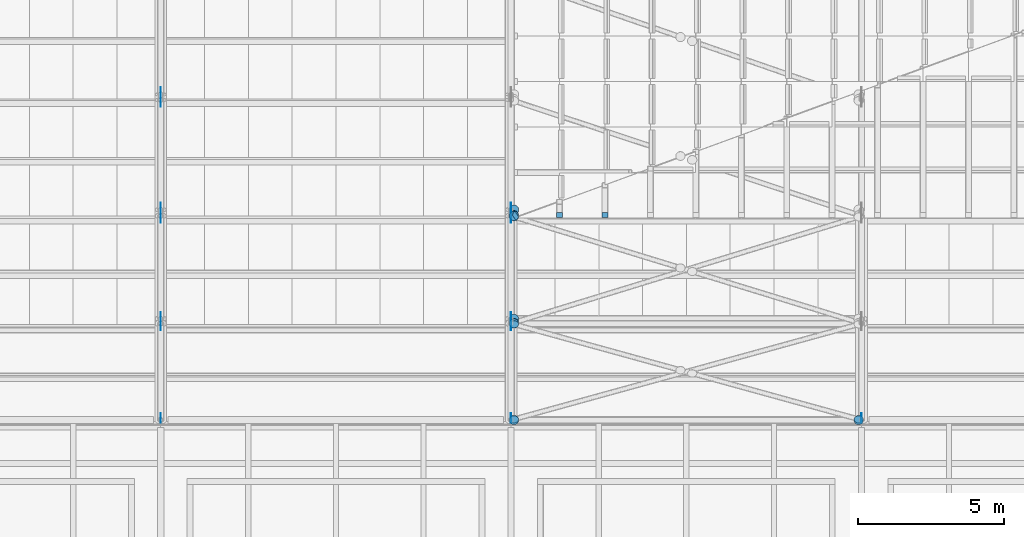
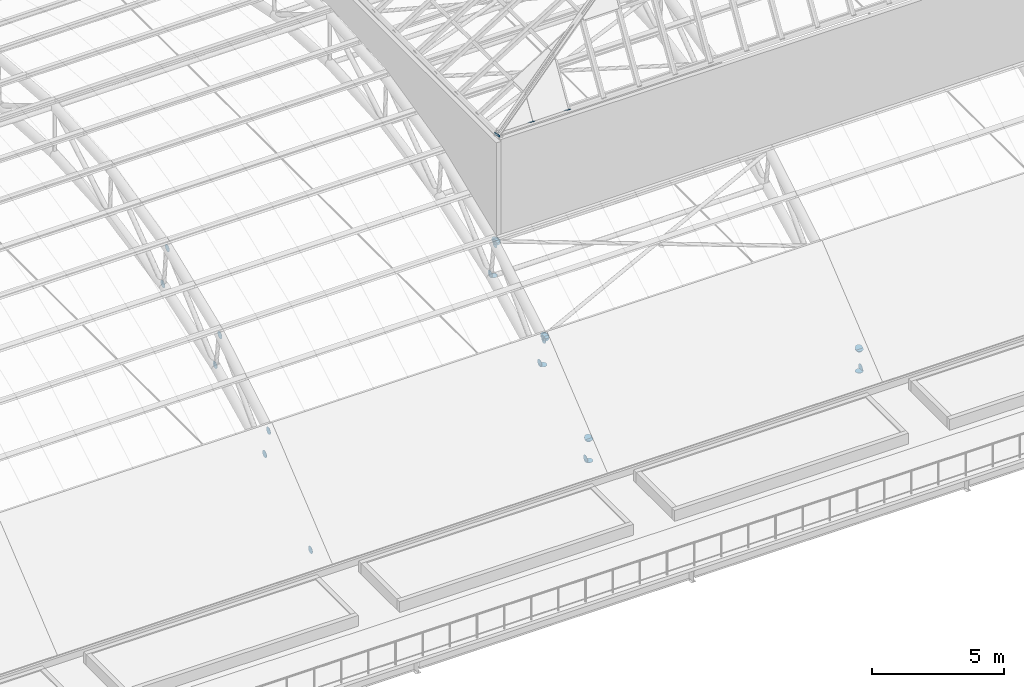
# One storey, part 86 of 110: 30 discrete accessories.
"""IFC4 building model written with IfcOpenShell, lengths in metres."""

from ifc_helpers import new_model, si_unit, direction, frame, origin, origin_2d, place, context, subcontext, project, spatial, rectangle, circle, extrude, material, layer, layer_set, type_object, element, save


model = new_model("IFC4")

# Units and contexts
model_context = context("Model", 3, precision=1e-05, world=origin(), true_north=direction((0.0, 1.0)))
body_context = subcontext(model_context, "Body", "Model", "MODEL_VIEW")
ifc_project = project(units=[si_unit("LENGTHUNIT", "METRE"), si_unit("AREAUNIT", "SQUARE_METRE"), si_unit("VOLUMEUNIT", "CUBIC_METRE"), si_unit("PLANEANGLEUNIT", "RADIAN"), si_unit("MASSUNIT", "GRAM", prefix="KILO")], contexts=[model_context])

# Site, building, storey
site_placement = place(None, origin())
site = spatial("IfcSite", under=ifc_project, at=site_placement, CompositionType="ELEMENT")
building_placement = place(site_placement, origin())
building = spatial("IfcBuilding", under=site, at=building_placement, Name="Windward Yard Aquatics Centre", CompositionType="ELEMENT")
storey_placement = place(building_placement, frame((0.0, 0.0, 22.60009765625)))
storey = spatial("IfcBuildingStorey", under=building, at=storey_placement, Name="L05", CompositionType="ELEMENT", Elevation=22.60009765625)

# Discrete accessories
ifc_material = material(Name="Steel S355", Category="steel")
ifc_layer_1 = layer(ifc_material, 0.010009765625)
ifc_layer_set_1 = layer_set([ifc_layer_1], Name="End cap plate 10 mm RHS203.2x203.2x9.5")
discrete_accessory_type_1 = type_object("IfcDiscreteAccessoryType", Name="End cap plate 10 mm RHS203.2x203.2x9.5", PredefinedType="USERDEFINED", material=ifc_layer_set_1)
for number, where, z_axis, x_axis, name in (
    (1, (99.212890625, 48.623779296875, 10.8154296875), (0.0, 0.514495755428, 0.857492925713), (-1.0, 0.0, 0.0), "End cap"),
    (2, (97.656494140625, 48.623779296875, 10.8154296875), (0.0, 0.514495755428, 0.857492925713), (-1.0, 0.0, 0.0), "End cap"),
):
    element("IfcDiscreteAccessory", number, at=place(storey_placement, frame(where, z_axis=z_axis, x_axis=x_axis)), inside=storey, type_object=discrete_accessory_type_1, Name=name, ObjectType="END CAP", PredefinedType="USERDEFINED", context=body_context, shape_type="SweptSolid", body=[
        extrude(rectangle(XDim=0.203125, YDim=0.203125, at=origin_2d()), origin(), (0.0, 0.0, 1.0), 0.010009765625),
    ])
ifc_layer_2 = layer(ifc_material, 0.010009765625)
ifc_layer_set_2 = layer_set([ifc_layer_2], Name="End cap plate 10 mm RHS254x254x15.9")
discrete_accessory_type_2 = type_object("IfcDiscreteAccessoryType", Name="End cap plate 10 mm RHS254x254x15.9", PredefinedType="USERDEFINED", material=ifc_layer_set_2)
discrete_accessory_1_placement = place(storey_placement, frame((96.140869140625, 48.58740234375, 10.7626953125), z_axis=(0.800603068749, 0.315389087689, 0.509474680113), x_axis=(-0.515938339909, 0.795222094871, 0.318479903984)))
element("IfcDiscreteAccessory", 3, at=discrete_accessory_1_placement, inside=storey, type_object=discrete_accessory_type_2, Name="End cap", ObjectType="END CAP", PredefinedType="USERDEFINED", context=body_context, shape_type="SweptSolid", body=[
    extrude(rectangle(XDim=0.25390625, YDim=0.25390625, at=origin_2d()), origin(), (0.0, 0.0, 1.0), 0.010009765625),
])
ifc_layer_3 = layer(ifc_material, 0.011962890625)
ifc_layer_set_3 = layer_set([ifc_layer_3], Name="Gusset plate 320 mm disc 12 mm")
discrete_accessory_type_3 = type_object("IfcDiscreteAccessoryType", Name="Gusset plate 320 mm disc 12 mm", PredefinedType="USERDEFINED", material=ifc_layer_set_3)
for number, where, z_axis, x_axis, name in (
    (4, (83.993896484375, 41.66650390625, 0.07470703125), (1.0, 0.0, 0.0), (0.0, 1.0, 0.0), "Gusset plate"),
    (5, (83.993896484375, 44.841064453125, 3.64306640625), (1.0, 0.0, 0.0), (0.0, 1.0, 0.0), "Gusset plate"),
    (6, (83.993896484375, 45.134765625, 2.390869140625), (1.0, 0.0, 0.0), (0.0, 1.0, 0.0), "Gusset plate"),
    (7, (83.993896484375, 48.520263671875, 5.8291015625), (1.0, 0.0, 0.0), (0.0, 1.0, 0.0), "Gusset plate"),
    (8, (83.993896484375, 48.877685546875, 4.23291015625), (1.0, 0.0, 0.0), (0.0, 1.0, 0.0), "Gusset plate"),
    (9, (83.993896484375, 52.48779296875, 7.4306640625), (1.0, 0.0, 0.0), (0.0, 1.0, 0.0), "Gusset plate"),
    (10, (83.993896484375, 52.83056640625, 5.568603515625), (1.0, 0.0, 0.0), (0.0, 1.0, 0.0), "Gusset plate"),
    (11, (95.993896484375, 41.66650390625, 0.07470703125), (1.0, 0.0, 0.0), (0.0, 1.0, 0.0), "Gusset plate"),
    (12, (95.993896484375, 44.841064453125, 3.64306640625), (1.0, 0.0, 0.0), (0.0, 1.0, 0.0), "Gusset plate"),
    (13, (95.993896484375, 45.134765625, 2.390869140625), (1.0, 0.0, 0.0), (0.0, 1.0, 0.0), "Gusset plate"),
    (14, (95.993896484375, 48.520263671875, 5.8291015625), (1.0, 0.0, 0.0), (0.0, 1.0, 0.0), "Gusset plate"),
    (15, (95.993896484375, 48.877685546875, 4.23291015625), (1.0, 0.0, 0.0), (0.0, 1.0, 0.0), "Gusset plate"),
    (16, (107.993896484375, 41.66650390625, 0.07470703125), (1.0, 0.0, 0.0), (0.0, 1.0, 0.0), "Gusset plate"),
):
    element("IfcDiscreteAccessory", number, at=place(storey_placement, frame(where, z_axis=z_axis, x_axis=x_axis)), inside=storey, type_object=discrete_accessory_type_3, Name=name, ObjectType="GUSSET PLATE", PredefinedType="USERDEFINED", context=body_context, shape_type="SweptSolid", body=[
        extrude(circle(Radius=0.159912109375, at=origin_2d()), origin(), (0.0, 0.0, 1.0), 0.01220703125),
    ])
for number, where, z_axis, x_axis, name in (
    (17, (96.10009765625, 41.60009765625, 0.993896484375), (0.0, 0.0, 1.0), (1.0, 0.0, 0.0), "Gusset plate"),
    (18, (107.89990234375, 41.60009765625, 0.993896484375), (0.0, 0.0, 1.0), (1.0, 0.0, 0.0), "Gusset plate"),
    (19, (96.10009765625, 44.907470703125, 3.7119140625), (0.0, 0.0, 1.0), (1.0, 0.0, 0.0), "Gusset plate"),
    (20, (96.10009765625, 48.59033203125, 5.89453125), (0.0, 0.0, 1.0), (1.0, 0.0, 0.0), "Gusset plate"),
):
    element("IfcDiscreteAccessory", number, at=place(storey_placement, frame(where, z_axis=z_axis, x_axis=x_axis)), inside=storey, type_object=discrete_accessory_type_3, Name=name, ObjectType="GUSSET PLATE", PredefinedType="USERDEFINED", context=body_context, shape_type="SweptSolid", body=[
        extrude(circle(Radius=0.159912109375, at=origin_2d()), origin(), (0.0, 0.0, 1.0), 0.011962890625),
    ])
for number, where, z_axis, x_axis, name in (
    (21, (96.09423828125, 41.6220703125, 1.02587890625), (0.0, 0.644135745783, -0.764911198117), (-1.0, 0.0, 0.0), "Gusset plate"),
    (22, (96.09423828125, 44.877685546875, 3.701171875), (0.0, 0.644135745783, -0.764911198117), (-1.0, 0.0, 0.0), "Gusset plate"),
    (23, (107.90576171875, 41.6220703125, 1.02587890625), (0.0, 0.644135745783, -0.764911198117), (-1.0, 0.0, 0.0), "Gusset plate"),
    (24, (96.09423828125, 44.933349609375, 3.740234375), (0.0, 0.502620457375, -0.864507186684), (-1.0, 0.0, 0.0), "Gusset plate"),
):
    element("IfcDiscreteAccessory", number, at=place(storey_placement, frame(where, z_axis=z_axis, x_axis=x_axis)), inside=storey, type_object=discrete_accessory_type_3, Name=name, ObjectType="GUSSET PLATE", PredefinedType="USERDEFINED", context=body_context, shape_type="SweptSolid", body=[
        extrude(circle(Radius=0.159912109375, at=origin_2d()), origin(), (0.0, 0.0, 1.0), 0.01220703125),
    ])
discrete_accessory_2_placement = place(storey_placement, frame((96.09423828125, 48.558349609375, 5.888427734375), z_axis=(0.0, 0.511483859768, -0.85929288441), x_axis=(-1.0, 0.0, 0.0)))
element("IfcDiscreteAccessory", 25, at=discrete_accessory_2_placement, inside=storey, type_object=discrete_accessory_type_3, Name="Gusset plate", ObjectType="GUSSET PLATE", PredefinedType="USERDEFINED", context=body_context, shape_type="SweptSolid", body=[
    extrude(circle(Radius=0.159912109375, at=origin_2d()), origin(), (0.0, 0.0, 1.0), 0.011962890625),
])
discrete_accessory_3_placement = place(storey_placement, frame((96.09423828125, 48.619384765625, 5.91845703125), z_axis=(0.0, 0.371390676354, -0.928476690885), x_axis=(-1.0, 0.0, 0.0)))
element("IfcDiscreteAccessory", 26, at=discrete_accessory_3_placement, inside=storey, type_object=discrete_accessory_type_3, Name="Gusset plate", ObjectType="GUSSET PLATE", PredefinedType="USERDEFINED", context=body_context, shape_type="SweptSolid", body=[
    extrude(circle(Radius=0.159912109375, at=origin_2d()), origin(), (0.0, 0.0, 1.0), 0.01171875),
])
for number, where, z_axis, x_axis, name in (
    (27, (96.10009765625, 41.60009765625, -0.006103515625), (0.0, 0.0, 1.0), (1.0, 0.0, 0.0), "Gusset plate"),
    (28, (107.89990234375, 41.60009765625, -0.006103515625), (0.0, 0.0, 1.0), (1.0, 0.0, 0.0), "Gusset plate"),
    (29, (96.10009765625, 45.064697265625, 2.313720703125), (0.0, 0.0, 1.0), (1.0, 0.0, 0.0), "Gusset plate"),
):
    element("IfcDiscreteAccessory", number, at=place(storey_placement, frame(where, z_axis=z_axis, x_axis=x_axis)), inside=storey, type_object=discrete_accessory_type_3, Name=name, ObjectType="GUSSET PLATE", PredefinedType="USERDEFINED", context=body_context, shape_type="SweptSolid", body=[
        extrude(circle(Radius=0.159912109375, at=origin_2d()), origin(), (0.0, 0.0, 1.0), 0.011962890625),
    ])
discrete_accessory_4_placement = place(storey_placement, frame((96.10009765625, 48.802734375, 4.160400390625), z_axis=(0.0, 0.0, 1.0), x_axis=(1.0, 0.0, 0.0)))
element("IfcDiscreteAccessory", 30, at=discrete_accessory_4_placement, inside=storey, type_object=discrete_accessory_type_3, Name="Gusset plate", ObjectType="GUSSET PLATE", PredefinedType="USERDEFINED", context=body_context, shape_type="SweptSolid", body=[
    extrude(circle(Radius=0.159912109375, at=origin_2d()), origin(), (0.0, 0.0, 1.0), 0.01220703125),
])

save(model, "model.ifc")
